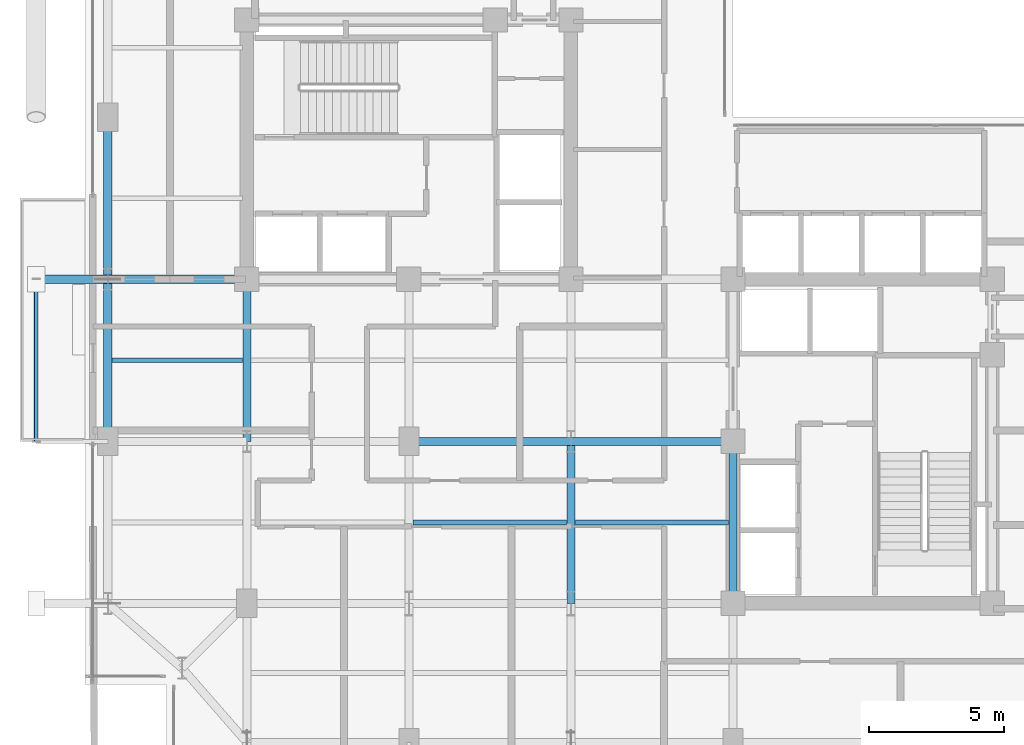
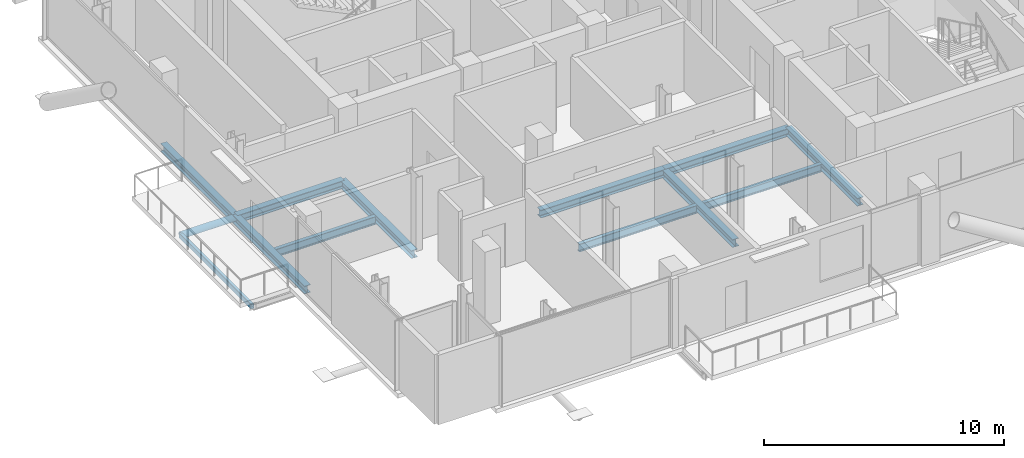
# One storey, part 6 of 21: 12 beams, 1 member.
"""IFC4 building model written with IfcOpenShell, lengths in metres."""

from ifc_helpers import new_model, si_unit, direction, frame, origin, origin_2d, place, context, subcontext, project, spatial, hollow_rectangle, hollow_circle, i_section, extrude, material, material_profile, profile_set, type_object, element, save


model = new_model("IFC4")

# Units and contexts
model_context = context("Model", 3, precision=1e-05, world=origin(), true_north=direction((0.0, 1.0)))
body_context = subcontext(model_context, "Body", "Model", "MODEL_VIEW")
ifc_project = project(units=[si_unit("LENGTHUNIT", "METRE"), si_unit("AREAUNIT", "SQUARE_METRE"), si_unit("VOLUMEUNIT", "CUBIC_METRE"), si_unit("PLANEANGLEUNIT", "RADIAN"), si_unit("MASSUNIT", "GRAM", prefix="KILO"), si_unit("THERMODYNAMICTEMPERATUREUNIT", "KELVIN"), si_unit("POWERUNIT", "WATT")], contexts=[model_context])

# Site, building, storey
site_placement = place(None, origin())
site = spatial("IfcSite", under=ifc_project, at=site_placement, CompositionType="ELEMENT")
building_placement = place(site_placement, origin())
building = spatial("IfcBuilding", under=site, at=building_placement, Name="Svarakhadi Broadcast Tower", CompositionType="ELEMENT")
storey_placement = place(building_placement, frame((0.0, 0.0, 187.949951171875)))
storey = spatial("IfcBuildingStorey", under=building, at=storey_placement, Name="L46", CompositionType="ELEMENT", Elevation=187.949951171875)

# Beams
ifc_material_1 = material(Name="Steel S355J2 (IS 2062 E350C)", Category="steel")
ifc_material_profile_1 = material_profile(ifc_material_1, i_section(OverallWidth=0.179931640625, OverallDepth=0.39990234375, WebThickness=0.008544921875, FlangeThickness=0.013427734375, FilletRadius=0.02099609375, at=origin_2d()), Name="NPB 400x180x66")
ifc_profile_set_1 = profile_set([ifc_material_profile_1], Name="Steel S355J2 (IS 2062 E350C)")
beam_type_1 = type_object("IfcBeamType", Name="Beam_NPB400", PredefinedType="BEAM", material=ifc_profile_set_1)
beam_1_placement = place(storey_placement, frame((1.010009765625, 15.0, -0.409912109375), z_axis=(1.0, 0.0, 0.0), x_axis=(0.0, 1.0, 0.0)))
element("IfcBeam", 1, at=beam_1_placement, inside=storey, type_object=beam_type_1, Name="L46 Secondary Composite Beam SB002", PredefinedType="BEAM", context=body_context, shape_type="SweptSolid", body=[
    extrude(i_section(OverallWidth=0.179931640625, OverallDepth=0.39990234375, WebThickness=0.008544921875, FlangeThickness=0.013427734375, FilletRadius=0.02099609375, at=origin_2d()), origin(), (0.0, 0.0, 1.0), 4.830078125),
])
for number, where, z_axis, x_axis, name in (
    (2, (12.159912109375, 9.0, -0.409912109375), (1.0, 0.0, 0.0), (0.0, 1.0, 0.0), "L46 Secondary Composite Beam SB010"),
    (3, (18.159912109375, 9.0, -0.409912109375), (1.0, 0.0, 0.0), (0.0, 1.0, 0.0), "L46 Secondary Composite Beam SB014"),
):
    element("IfcBeam", number, at=place(storey_placement, frame(where, z_axis=z_axis, x_axis=x_axis)), inside=storey, type_object=beam_type_1, Name=name, PredefinedType="BEAM", context=body_context, shape_type="SweptSolid", body=[
        extrude(i_section(OverallWidth=0.179931640625, OverallDepth=0.39990234375, WebThickness=0.008544921875, FlangeThickness=0.013427734375, FilletRadius=0.02099609375, at=origin_2d()), origin(), (0.0, 0.0, 1.0), 5.68017578125),
    ])

# Member
ifc_material_2 = material(Name="Steel S460ML (IS 2062 E450BR)", Category="steel")
ifc_material_profile_2 = material_profile(ifc_material_2, hollow_circle(Radius=0.161865234375, WallThickness=0.01611328125, at=origin_2d()), Name="CHS 323.9x16")
ifc_profile_set_2 = profile_set([ifc_material_profile_2], Name="Steel S460ML (IS 2062 E450BR)")
member_type = type_object("IfcMemberType", Name="Exo_Radial_Strut_Z2", PredefinedType="STRUT", material=ifc_profile_set_2)
member_placement = place(storey_placement, frame((-1.800048828125, 18.0, -0.371826171875), z_axis=(1.0, 0.0, 0.0), x_axis=(0.0, 1.0, 0.0)))
element("IfcMember", 4, at=member_placement, inside=storey, type_object=member_type, Name="L46 Exoskeleton Radial Tie Strut W05", PredefinedType="STRUT", context=body_context, shape_type="SweptSolid", body=[
    extrude(hollow_circle(Radius=0.161865234375, WallThickness=0.01611328125, at=origin_2d()), origin(), (0.0, 0.0, 1.0), 2.650146484375),
])

# Beams
ifc_material_profile_3 = material_profile(ifc_material_1, i_section(OverallWidth=0.300048828125, OverallDepth=0.39990234375, WebThickness=0.013427734375, FlangeThickness=0.02392578125, FilletRadius=0.027099609375, at=origin_2d()), Name="WPB 400x300x155")
ifc_profile_set_3 = profile_set([ifc_material_profile_3], Name="Steel S355J2 (IS 2062 E350C)")
beam_type_2 = type_object("IfcBeamType", Name="Girder_WPB400", PredefinedType="USERDEFINED", material=ifc_profile_set_3)
for number, where, z_axis, x_axis, name in (
    (5, (12.0, 12.0, -0.409912109375), (1.0, 0.0, 0.0), (0.0, 1.0, 0.0), "L46 Primary E-W Girder G017"),
    (6, (18.0, 12.0, -0.409912109375), (1.0, 0.0, 0.0), (0.0, 1.0, 0.0), "L46 Primary E-W Girder G018"),
):
    element("IfcBeam", number, at=place(storey_placement, frame(where, z_axis=z_axis, x_axis=x_axis)), inside=storey, type_object=beam_type_2, Name=name, ObjectType="GIRDER", PredefinedType="USERDEFINED", context=body_context, shape_type="SweptSolid", body=[
        extrude(i_section(OverallWidth=0.300048828125, OverallDepth=0.39990234375, WebThickness=0.013427734375, FlangeThickness=0.02392578125, FilletRadius=0.027099609375, at=origin_2d()), origin(), (0.0, 0.0, 1.0), 6.0),
    ])
beam_2_placement = place(storey_placement, frame((0.85009765625, 18.0, -0.409912109375), z_axis=(1.0, 0.0, 0.0), x_axis=(0.0, 1.0, 0.0)))
element("IfcBeam", 7, at=beam_2_placement, inside=storey, type_object=beam_type_2, Name="L46 Primary E-W Girder G020", ObjectType="GIRDER", PredefinedType="USERDEFINED", context=body_context, shape_type="SweptSolid", body=[
    extrude(i_section(OverallWidth=0.300048828125, OverallDepth=0.39990234375, WebThickness=0.013427734375, FlangeThickness=0.02392578125, FilletRadius=0.027099609375, at=origin_2d()), origin(), (0.0, 0.0, 1.0), 5.14990234375),
])
for number, where, z_axis, x_axis, name in (
    (8, (0.85009765625, 12.0, -0.409912109375), (0.0, 1.0, 0.0), (-1.0, 0.0, 0.0), "L46 Primary N-S Girder G034"),
    (9, (0.85009765625, 18.0, -0.409912109375), (0.0, 1.0, 0.0), (-1.0, 0.0, 0.0), "L46 Primary N-S Girder G035"),
    (10, (6.0, 12.0, -0.409912109375), (0.0, 1.0, 0.0), (-1.0, 0.0, 0.0), "L46 Primary N-S Girder G039"),
    (11, (18.0, 6.0, -0.409912109375), (0.0, 1.0, 0.0), (-1.0, 0.0, 0.0), "L46 Primary N-S Girder G047"),
    (12, (24.0, 6.0, -0.409912109375), (0.0, 1.0, 0.0), (-1.0, 0.0, 0.0), "L46 Primary N-S Girder G052"),
):
    element("IfcBeam", number, at=place(storey_placement, frame(where, z_axis=z_axis, x_axis=x_axis)), inside=storey, type_object=beam_type_2, Name=name, ObjectType="GIRDER", PredefinedType="USERDEFINED", context=body_context, shape_type="SweptSolid", body=[
        extrude(i_section(OverallWidth=0.300048828125, OverallDepth=0.39990234375, WebThickness=0.013427734375, FlangeThickness=0.02392578125, FilletRadius=0.027099609375, at=origin_2d()), origin(), (0.0, 0.0, 1.0), 6.0),
    ])
ifc_material_profile_4 = material_profile(ifc_material_2, hollow_rectangle(XDim=0.14990234375, YDim=0.25, WallThickness=0.010009765625, InnerFilletRadius=0.010009765625, OuterFilletRadius=0.02001953125, at=origin_2d()), Name="RHS 250x150x10")
ifc_profile_set_4 = profile_set([ifc_material_profile_4], Name="Steel S460ML (IS 2062 E450BR)")
beam_type_3 = type_object("IfcBeamType", Name="Spandrel_RHS250", PredefinedType="SPANDREL", material=ifc_profile_set_4)
beam_3_placement = place(storey_placement, frame((-1.800048828125, 12.0, -0.349853515625), z_axis=(0.0, 1.0, 0.0), x_axis=(-1.0, 0.0, 0.0)))
element("IfcBeam", 13, at=beam_3_placement, inside=storey, type_object=beam_type_3, Name="L46 Balcony Outer Spandrel 2F", PredefinedType="SPANDREL", context=body_context, shape_type="SweptSolid", body=[
    extrude(hollow_rectangle(XDim=0.14990234375, YDim=0.25, WallThickness=0.010009765625, InnerFilletRadius=0.010009765625, OuterFilletRadius=0.02001953125, at=origin_2d()), origin(), (0.0, 0.0, 1.0), 6.0),
])

save(model, "model.ifc")
